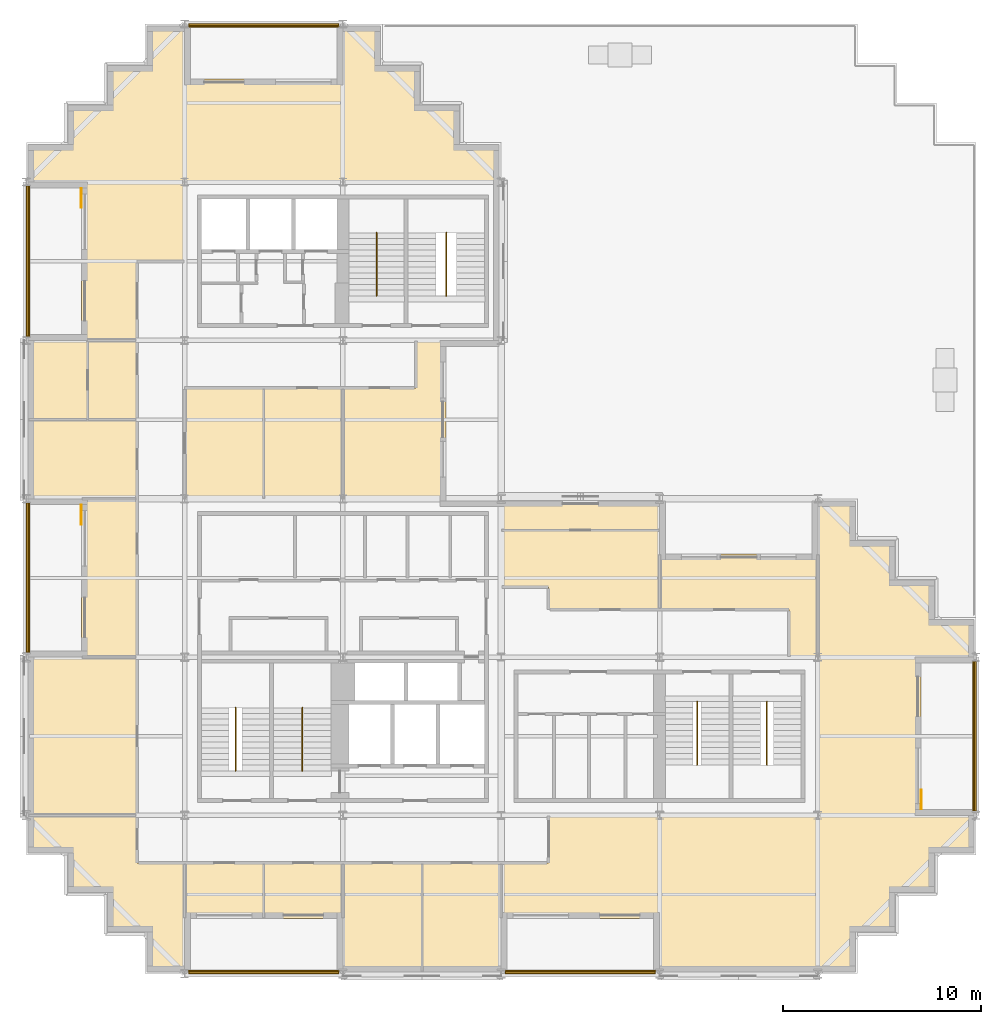
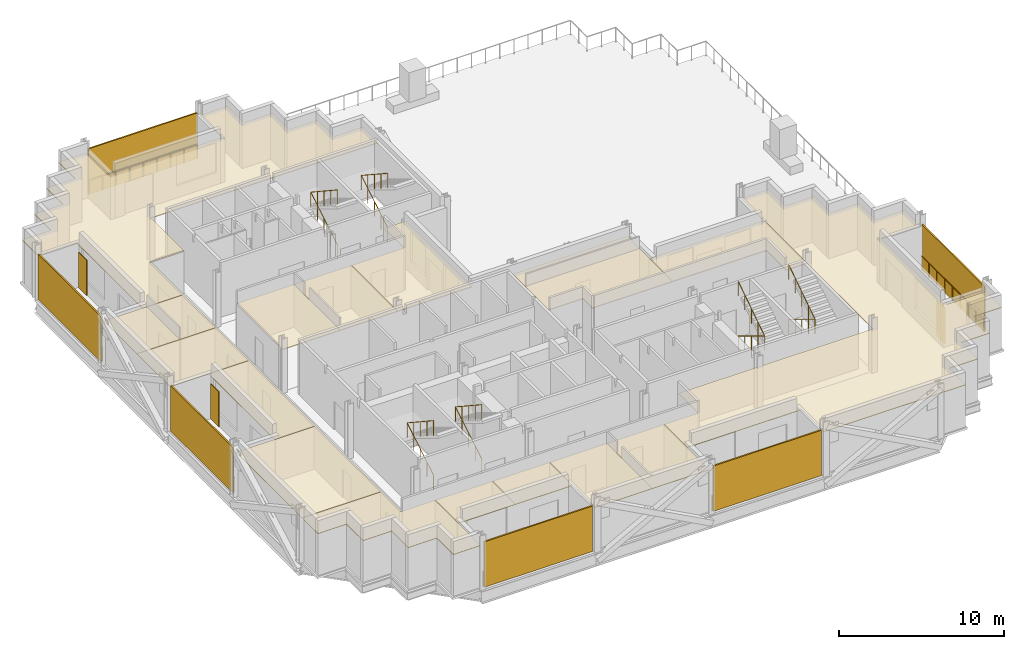
# One storey, part 10 of 12: 18 coverings, 12 railings, 9 shading devices.
"""IFC4 building model written with IfcOpenShell, lengths in metres."""

from ifc_helpers import new_model, si_unit, direction, frame, origin, origin_2d, place, context, subcontext, project, spatial, polyline, rectangle, circle, outline, extrude, material, layer, layer_set, type_object, element, save


model = new_model("IFC4")

# Units and contexts
model_context = context("Model", 3, precision=1e-05, world=origin(), true_north=direction((0.0, 1.0)))
body_context = subcontext(model_context, "Body", "Model", "MODEL_VIEW")
ifc_project = project(units=[si_unit("LENGTHUNIT", "METRE"), si_unit("AREAUNIT", "SQUARE_METRE"), si_unit("VOLUMEUNIT", "CUBIC_METRE"), si_unit("PLANEANGLEUNIT", "RADIAN"), si_unit("MASSUNIT", "GRAM", prefix="KILO")], contexts=[model_context])

# Site, building, storey
site_placement = place(None, origin())
site = spatial("IfcSite", under=ifc_project, at=site_placement, CompositionType="ELEMENT")
building_placement = place(site_placement, origin())
building = spatial("IfcBuilding", under=site, at=building_placement, Name="Immortelle Media Tower", CompositionType="ELEMENT")
storey_placement = place(building_placement, frame((0.0, 0.0, 120.0)))
storey = spatial("IfcBuildingStorey", under=building, at=storey_placement, Name="L23", CompositionType="ELEMENT", Elevation=120.0)

# Railings
ifc_material_1 = material(Name="Powder-coated aluminium fretwork panel, laminated glass backing", Category="aluminium")
railing_type_1 = type_object("IfcRailingType", Name="Fretwork balustrade 1100", PredefinedType="BALUSTRADE", material=ifc_material_1)
railing_1_placement = place(storey_placement, frame((8.20556640625, 0.139892578125, 0.0)))
element("IfcRailing", 1, at=railing_1_placement, inside=storey, type_object=railing_type_1, Name="Fretwork balustrade L23 S0", PredefinedType="BALUSTRADE", context=body_context, shape_type="SweptSolid", body=[
    extrude(circle(Radius=0.02490234375, at=origin_2d()), frame((0.0, 0.0, 1.0751953125), z_axis=(1.0, 0.0, 0.0), x_axis=(0.0, 1.0, 0.0)), (0.0, 0.0, 1.0), 7.58251953125),
    extrude(circle(Radius=0.02001953125, at=origin_2d()), origin(), (0.0, 0.0, 1.0), 1.050048828125),
    extrude(circle(Radius=0.02001953125, at=origin_2d()), frame((0.94775390625, 0.0, 0.0)), (0.0, 0.0, 1.0), 1.050048828125),
    extrude(circle(Radius=0.02001953125, at=origin_2d()), frame((1.8955078125, 0.0, 0.0)), (0.0, 0.0, 1.0), 1.050048828125),
    extrude(circle(Radius=0.02001953125, at=origin_2d()), frame((2.843505859375, 0.0, 0.0)), (0.0, 0.0, 1.0), 1.050048828125),
    extrude(circle(Radius=0.02001953125, at=origin_2d()), frame((3.791259765625, 0.0, 0.0)), (0.0, 0.0, 1.0), 1.050048828125),
    extrude(circle(Radius=0.02001953125, at=origin_2d()), frame((4.739013671875, 0.0, 0.0)), (0.0, 0.0, 1.0), 1.050048828125),
    extrude(circle(Radius=0.02001953125, at=origin_2d()), frame((5.68701171875, 0.0, 0.0)), (0.0, 0.0, 1.0), 1.050048828125),
    extrude(circle(Radius=0.02001953125, at=origin_2d()), frame((6.634765625, 0.0, 0.0)), (0.0, 0.0, 1.0), 1.050048828125),
    extrude(circle(Radius=0.02001953125, at=origin_2d()), frame((7.58251953125, 0.0, 0.0)), (0.0, 0.0, 1.0), 1.050048828125),
])
railing_2_placement = place(storey_placement, frame((24.2119140625, 0.139892578125, 0.0)))
element("IfcRailing", 2, at=railing_2_placement, inside=storey, type_object=railing_type_1, Name="Fretwork balustrade L23 S2", PredefinedType="BALUSTRADE", context=body_context, shape_type="SweptSolid", body=[
    extrude(circle(Radius=0.02490234375, at=origin_2d()), frame((0.0, 0.0, 1.0751953125), z_axis=(1.0, 0.0, 0.0), x_axis=(0.0, 1.0, 0.0)), (0.0, 0.0, 1.0), 7.576171875),
    extrude(circle(Radius=0.02001953125, at=origin_2d()), origin(), (0.0, 0.0, 1.0), 1.050048828125),
    extrude(circle(Radius=0.02001953125, at=origin_2d()), frame((0.947021484375, 0.0, 0.0)), (0.0, 0.0, 1.0), 1.050048828125),
    extrude(circle(Radius=0.02001953125, at=origin_2d()), frame((1.89404296875, 0.0, 0.0)), (0.0, 0.0, 1.0), 1.050048828125),
    extrude(circle(Radius=0.02001953125, at=origin_2d()), frame((2.841064453125, 0.0, 0.0)), (0.0, 0.0, 1.0), 1.050048828125),
    extrude(circle(Radius=0.02001953125, at=origin_2d()), frame((3.7880859375, 0.0, 0.0)), (0.0, 0.0, 1.0), 1.050048828125),
    extrude(circle(Radius=0.02001953125, at=origin_2d()), frame((4.735107421875, 0.0, 0.0)), (0.0, 0.0, 1.0), 1.050048828125),
    extrude(circle(Radius=0.02001953125, at=origin_2d()), frame((5.68212890625, 0.0, 0.0)), (0.0, 0.0, 1.0), 1.050048828125),
    extrude(circle(Radius=0.02001953125, at=origin_2d()), frame((6.629150390625, 0.0, 0.0)), (0.0, 0.0, 1.0), 1.050048828125),
    extrude(circle(Radius=0.02001953125, at=origin_2d()), frame((7.576171875, 0.0, 0.0)), (0.0, 0.0, 1.0), 1.050048828125),
])
railing_3_placement = place(storey_placement, frame((47.860107421875, 8.217041015625, 0.0)))
element("IfcRailing", 3, at=railing_3_placement, inside=storey, type_object=railing_type_1, Name="Fretwork balustrade L23 E0", PredefinedType="BALUSTRADE", context=body_context, shape_type="SweptSolid", body=[
    extrude(circle(Radius=0.02490234375, at=origin_2d()), frame((0.0, 0.0, 1.0751953125), z_axis=(0.0, 1.0, 0.0), x_axis=(-1.0, 0.0, 0.0)), (0.0, 0.0, 1.0), 7.56591796875),
    extrude(circle(Radius=0.02001953125, at=origin_2d()), origin(), (0.0, 0.0, 1.0), 1.050048828125),
    extrude(circle(Radius=0.02001953125, at=origin_2d()), frame((0.0, 0.94580078125, 0.0)), (0.0, 0.0, 1.0), 1.050048828125),
    extrude(circle(Radius=0.02001953125, at=origin_2d()), frame((0.0, 1.8916015625, 0.0)), (0.0, 0.0, 1.0), 1.050048828125),
    extrude(circle(Radius=0.02001953125, at=origin_2d()), frame((0.0, 2.837158203125, 0.0)), (0.0, 0.0, 1.0), 1.050048828125),
    extrude(circle(Radius=0.02001953125, at=origin_2d()), frame((0.0, 3.782958984375, 0.0)), (0.0, 0.0, 1.0), 1.050048828125),
    extrude(circle(Radius=0.02001953125, at=origin_2d()), frame((0.0, 4.728759765625, 0.0)), (0.0, 0.0, 1.0), 1.050048828125),
    extrude(circle(Radius=0.02001953125, at=origin_2d()), frame((0.0, 5.67431640625, 0.0)), (0.0, 0.0, 1.0), 1.050048828125),
    extrude(circle(Radius=0.02001953125, at=origin_2d()), frame((0.0, 6.6201171875, 0.0)), (0.0, 0.0, 1.0), 1.050048828125),
    extrude(circle(Radius=0.02001953125, at=origin_2d()), frame((0.0, 7.56591796875, 0.0)), (0.0, 0.0, 1.0), 1.050048828125),
])
railing_4_placement = place(storey_placement, frame((15.800537109375, 47.860107421875, 0.0)))
element("IfcRailing", 4, at=railing_4_placement, inside=storey, type_object=railing_type_1, Name="Fretwork balustrade L23 N0", PredefinedType="BALUSTRADE", context=body_context, shape_type="SweptSolid", body=[
    extrude(circle(Radius=0.02490234375, at=origin_2d()), frame((0.0, 0.0, 1.0751953125), z_axis=(-1.0, 0.0, 0.0), x_axis=(0.0, -1.0, 0.0)), (0.0, 0.0, 1.0), 7.60107421875),
    extrude(circle(Radius=0.02001953125, at=origin_2d()), origin(), (0.0, 0.0, 1.0), 1.050048828125),
    extrude(circle(Radius=0.02001953125, at=origin_2d()), frame((-0.9501953125, 0.0, 0.0)), (0.0, 0.0, 1.0), 1.050048828125),
    extrude(circle(Radius=0.02001953125, at=origin_2d()), frame((-1.900390625, 0.0, 0.0)), (0.0, 0.0, 1.0), 1.050048828125),
    extrude(circle(Radius=0.02001953125, at=origin_2d()), frame((-2.850341796875, 0.0, 0.0)), (0.0, 0.0, 1.0), 1.050048828125),
    extrude(circle(Radius=0.02001953125, at=origin_2d()), frame((-3.800537109375, 0.0, 0.0)), (0.0, 0.0, 1.0), 1.050048828125),
    extrude(circle(Radius=0.02001953125, at=origin_2d()), frame((-4.750732421875, 0.0, 0.0)), (0.0, 0.0, 1.0), 1.050048828125),
    extrude(circle(Radius=0.02001953125, at=origin_2d()), frame((-5.70068359375, 0.0, 0.0)), (0.0, 0.0, 1.0), 1.050048828125),
    extrude(circle(Radius=0.02001953125, at=origin_2d()), frame((-6.65087890625, 0.0, 0.0)), (0.0, 0.0, 1.0), 1.050048828125),
    extrude(circle(Radius=0.02001953125, at=origin_2d()), frame((-7.60107421875, 0.0, 0.0)), (0.0, 0.0, 1.0), 1.050048828125),
])
railing_5_placement = place(storey_placement, frame((0.139892578125, 39.806884765625, 0.0)))
element("IfcRailing", 5, at=railing_5_placement, inside=storey, type_object=railing_type_1, Name="Fretwork balustrade L23 W0", PredefinedType="BALUSTRADE", context=body_context, shape_type="SweptSolid", body=[
    extrude(circle(Radius=0.02490234375, at=origin_2d()), frame((0.0, 0.0, 1.0751953125), z_axis=(0.0, -1.0, 0.0), x_axis=(1.0, 0.0, 0.0)), (0.0, 0.0, 1.0), 7.598388671875),
    extrude(circle(Radius=0.02001953125, at=origin_2d()), origin(), (0.0, 0.0, 1.0), 1.050048828125),
    extrude(circle(Radius=0.02001953125, at=origin_2d()), frame((0.0, -0.94970703125, 0.0)), (0.0, 0.0, 1.0), 1.050048828125),
    extrude(circle(Radius=0.02001953125, at=origin_2d()), frame((0.0, -1.899658203125, 0.0)), (0.0, 0.0, 1.0), 1.050048828125),
    extrude(circle(Radius=0.02001953125, at=origin_2d()), frame((0.0, -2.849365234375, 0.0)), (0.0, 0.0, 1.0), 1.050048828125),
    extrude(circle(Radius=0.02001953125, at=origin_2d()), frame((0.0, -3.79931640625, 0.0)), (0.0, 0.0, 1.0), 1.050048828125),
    extrude(circle(Radius=0.02001953125, at=origin_2d()), frame((0.0, -4.7490234375, 0.0)), (0.0, 0.0, 1.0), 1.050048828125),
    extrude(circle(Radius=0.02001953125, at=origin_2d()), frame((0.0, -5.69873046875, 0.0)), (0.0, 0.0, 1.0), 1.050048828125),
    extrude(circle(Radius=0.02001953125, at=origin_2d()), frame((0.0, -6.648681640625, 0.0)), (0.0, 0.0, 1.0), 1.050048828125),
    extrude(circle(Radius=0.02001953125, at=origin_2d()), frame((0.0, -7.598388671875, 0.0)), (0.0, 0.0, 1.0), 1.050048828125),
])
railing_6_placement = place(storey_placement, frame((0.139892578125, 23.79150390625, 0.0)))
element("IfcRailing", 6, at=railing_6_placement, inside=storey, type_object=railing_type_1, Name="Fretwork balustrade L23 W2", PredefinedType="BALUSTRADE", context=body_context, shape_type="SweptSolid", body=[
    extrude(circle(Radius=0.02490234375, at=origin_2d()), frame((0.0, 0.0, 1.0751953125), z_axis=(0.0, -1.0, 0.0), x_axis=(1.0, 0.0, 0.0)), (0.0, 0.0, 1.0), 7.553955078125),
    extrude(circle(Radius=0.02001953125, at=origin_2d()), origin(), (0.0, 0.0, 1.0), 1.050048828125),
    extrude(circle(Radius=0.02001953125, at=origin_2d()), frame((0.0, -0.9443359375, 0.0)), (0.0, 0.0, 1.0), 1.050048828125),
    extrude(circle(Radius=0.02001953125, at=origin_2d()), frame((0.0, -1.888427734375, 0.0)), (0.0, 0.0, 1.0), 1.050048828125),
    extrude(circle(Radius=0.02001953125, at=origin_2d()), frame((0.0, -2.832763671875, 0.0)), (0.0, 0.0, 1.0), 1.050048828125),
    extrude(circle(Radius=0.02001953125, at=origin_2d()), frame((0.0, -3.77685546875, 0.0)), (0.0, 0.0, 1.0), 1.050048828125),
    extrude(circle(Radius=0.02001953125, at=origin_2d()), frame((0.0, -4.72119140625, 0.0)), (0.0, 0.0, 1.0), 1.050048828125),
    extrude(circle(Radius=0.02001953125, at=origin_2d()), frame((0.0, -5.66552734375, 0.0)), (0.0, 0.0, 1.0), 1.050048828125),
    extrude(circle(Radius=0.02001953125, at=origin_2d()), frame((0.0, -6.609619140625, 0.0)), (0.0, 0.0, 1.0), 1.050048828125),
    extrude(circle(Radius=0.02001953125, at=origin_2d()), frame((0.0, -7.553955078125, 0.0)), (0.0, 0.0, 1.0), 1.050048828125),
])

# Shading devices
ifc_material_2 = material(Name="Pale aluminium louvre blades", Category="aluminium")
ifc_layer_1 = layer(ifc_material_2, 0.10009765625)
ifc_layer_set_1 = layer_set([ifc_layer_1], Name="Pale aluminium louvre blades")
shading_device_type_1 = type_object("IfcShadingDeviceType", Name="Jalousie screen 100", PredefinedType="JALOUSIE", material=ifc_layer_set_1)
shading_device_1_placement = place(storey_placement, frame((11.996826171875, 0.050048828125, 0.0), z_axis=(0.0, 0.0, 1.0), x_axis=(1.0, 0.0, 0.0)))
element("IfcShadingDevice", 7, at=shading_device_1_placement, inside=storey, type_object=shading_device_type_1, Name="Jalousie screen L23 S0", PredefinedType="JALOUSIE", context=body_context, shape_type="SweptSolid", body=[
    extrude(rectangle(XDim=7.58251953125, YDim=0.10009765625, at=origin_2d()), origin(), (0.0, 0.0, 1.0), 3.35693359375),
])
shading_device_2_placement = place(storey_placement, frame((28.0, 0.050048828125, 0.0), z_axis=(0.0, 0.0, 1.0), x_axis=(1.0, 0.0, 0.0)))
element("IfcShadingDevice", 8, at=shading_device_2_placement, inside=storey, type_object=shading_device_type_1, Name="Jalousie screen L23 S2", PredefinedType="JALOUSIE", context=body_context, shape_type="SweptSolid", body=[
    extrude(rectangle(XDim=7.575927734375, YDim=0.10009765625, at=origin_2d()), origin(), (0.0, 0.0, 1.0), 3.35693359375),
])
shading_device_3_placement = place(storey_placement, frame((47.949951171875, 12.0, 0.0), z_axis=(0.0, 0.0, 1.0), x_axis=(0.0, 1.0, 0.0)))
element("IfcShadingDevice", 9, at=shading_device_3_placement, inside=storey, type_object=shading_device_type_1, Name="Jalousie screen L23 E0", PredefinedType="JALOUSIE", context=body_context, shape_type="SweptSolid", body=[
    extrude(rectangle(XDim=7.56591796875, YDim=0.10009765625, at=origin_2d()), origin(), (0.0, 0.0, 1.0), 3.35693359375),
])
shading_device_4_placement = place(storey_placement, frame((12.0, 47.949951171875, 0.0), z_axis=(0.0, 0.0, 1.0), x_axis=(-1.0, 0.0, 0.0)))
element("IfcShadingDevice", 10, at=shading_device_4_placement, inside=storey, type_object=shading_device_type_1, Name="Jalousie screen L23 N0", PredefinedType="JALOUSIE", context=body_context, shape_type="SweptSolid", body=[
    extrude(rectangle(XDim=7.60107421875, YDim=0.10009765625, at=origin_2d()), origin(), (0.0, 0.0, 1.0), 3.35693359375),
])
shading_device_5_placement = place(storey_placement, frame((0.050048828125, 36.0078125, 0.0), z_axis=(0.0, 0.0, 1.0), x_axis=(0.0, -1.0, 0.0)))
element("IfcShadingDevice", 11, at=shading_device_5_placement, inside=storey, type_object=shading_device_type_1, Name="Jalousie screen L23 W0", PredefinedType="JALOUSIE", context=body_context, shape_type="SweptSolid", body=[
    extrude(rectangle(XDim=7.598388671875, YDim=0.10009765625, at=origin_2d()), origin(), (0.0, 0.0, 1.0), 3.35693359375),
])
shading_device_6_placement = place(storey_placement, frame((0.050048828125, 20.014404296875, 0.0), z_axis=(0.0, 0.0, 1.0), x_axis=(0.0, -1.0, 0.0)))
element("IfcShadingDevice", 12, at=shading_device_6_placement, inside=storey, type_object=shading_device_type_1, Name="Jalousie screen L23 W2", PredefinedType="JALOUSIE", context=body_context, shape_type="SweptSolid", body=[
    extrude(rectangle(XDim=7.553955078125, YDim=0.10009765625, at=origin_2d()), origin(), (0.0, 0.0, 1.0), 3.35693359375),
])
ifc_material_3 = material(Name="Pale aluminium louvre blades in a folding frame", Category="aluminium")
ifc_layer_2 = layer(ifc_material_3, 0.050048828125)
ifc_layer_set_2 = layer_set([ifc_layer_2], Name="Pale aluminium louvre blades in a folding frame")
shading_device_type_2 = type_object("IfcShadingDeviceType", Name="Louvred loggia shutter", PredefinedType="SHUTTER", material=ifc_layer_set_2)
for number, where, z_axis, x_axis, name in (
    (13, (45.22509765625, 8.800048828125, 0.0), (0.0, 0.0, 1.0), (0.0, 1.0, 0.0), "Loggia shutter L23 E0"),
    (14, (2.77490234375, 39.199951171875, 0.0), (0.0, 0.0, 1.0), (0.0, -1.0, 0.0), "Loggia shutter L23 W0"),
    (15, (2.77490234375, 23.199951171875, 0.0), (0.0, 0.0, 1.0), (0.0, -1.0, 0.0), "Loggia shutter L23 W2"),
):
    element("IfcShadingDevice", number, at=place(storey_placement, frame(where, z_axis=z_axis, x_axis=x_axis)), inside=storey, type_object=shading_device_type_2, Name=name, PredefinedType="SHUTTER", context=body_context, shape_type="SweptSolid", body=[
        extrude(rectangle(XDim=1.0, YDim=0.050048828125, at=origin_2d()), origin(), (0.0, 0.0, 1.0), 2.60009765625),
    ])

# Railings
ifc_material_4 = material(Name="Stainless steel AISI 316", Category="steel")
railing_type_2 = type_object("IfcRailingType", Name="Stair guard 1100", PredefinedType="GUARDRAIL", material=ifc_material_4)
for number, where, name in (
    (16, (10.574951171875, 10.25, 0.175048828125), "Stair guard SW1"),
    (17, (13.949951171875, 10.25, 0.175048828125), "Stair guard SW2"),
):
    element("IfcRailing", number, at=place(storey_placement, frame(where)), inside=storey, type_object=railing_type_2, Name=name, PredefinedType="GUARDRAIL", context=body_context, shape_type="SweptSolid", body=[
        extrude(circle(Radius=0.02392578125, at=origin_2d()), frame((0.0, 0.0, 1.076171875), z_axis=(0.0, 0.856177665481, 0.516681531633), x_axis=(-1.0, 0.0, 0.0)), (0.0, 0.0, 1.0), 3.725830078125),
        extrude(circle(Radius=0.02392578125, at=origin_2d()), frame((0.0, 3.18994140625, 3.0009765625), z_axis=(0.0, -0.835271834381, 0.549837214719), x_axis=(1.0, 0.0, 0.0)), (0.0, 0.0, 1.0), 3.819091796875),
        extrude(circle(Radius=0.02099609375, at=origin_2d()), origin(), (0.0, 0.0, 1.0), 1.052001953125),
        extrude(circle(Radius=0.02099609375, at=origin_2d()), frame((0.0, 0.79736328125, 0.481201171875)), (0.0, 0.0, 1.0), 1.052001953125),
        extrude(circle(Radius=0.02099609375, at=origin_2d()), frame((0.0, 1.594970703125, 0.96240234375)), (0.0, 0.0, 1.0), 1.052001953125),
        extrude(circle(Radius=0.02099609375, at=origin_2d()), frame((0.0, 2.392578125, 1.44384765625)), (0.0, 0.0, 1.0), 1.052001953125),
        extrude(circle(Radius=0.02099609375, at=origin_2d()), frame((0.0, 3.18994140625, 1.925048828125)), (0.0, 0.0, 1.0), 1.052001953125),
        extrude(circle(Radius=0.02099609375, at=origin_2d()), frame((0.0, 2.392578125, 2.449951171875)), (0.0, 0.0, 1.0), 1.052001953125),
        extrude(circle(Radius=0.02099609375, at=origin_2d()), frame((0.0, 1.594970703125, 2.97509765625)), (0.0, 0.0, 1.0), 1.052001953125),
        extrude(circle(Radius=0.02099609375, at=origin_2d()), frame((0.0, 0.79736328125, 3.5)), (0.0, 0.0, 1.0), 1.052001953125),
        extrude(circle(Radius=0.02099609375, at=origin_2d()), frame((0.0, 0.0, 4.02490234375)), (0.0, 0.0, 1.0), 1.052001953125),
    ])
for number, where, name in (
    (18, (33.89990234375, 13.75, 0.175048828125), "Stair guard SE1"),
    (19, (37.425048828125, 13.75, 0.175048828125), "Stair guard SE2"),
):
    element("IfcRailing", number, at=place(storey_placement, frame(where)), inside=storey, type_object=railing_type_2, Name=name, PredefinedType="GUARDRAIL", context=body_context, shape_type="SweptSolid", body=[
        extrude(circle(Radius=0.02392578125, at=origin_2d()), frame((0.0, 0.0, 1.076171875), z_axis=(0.0, -0.856177665481, 0.516681531633), x_axis=(1.0, 0.0, 0.0)), (0.0, 0.0, 1.0), 3.725830078125),
        extrude(circle(Radius=0.02392578125, at=origin_2d()), frame((0.0, -3.18994140625, 3.0009765625), z_axis=(0.0, 0.835271834381, 0.549837214719), x_axis=(-1.0, 0.0, 0.0)), (0.0, 0.0, 1.0), 3.819091796875),
        extrude(circle(Radius=0.02099609375, at=origin_2d()), origin(), (0.0, 0.0, 1.0), 1.052001953125),
        extrude(circle(Radius=0.02099609375, at=origin_2d()), frame((0.0, -0.79736328125, 0.481201171875)), (0.0, 0.0, 1.0), 1.052001953125),
        extrude(circle(Radius=0.02099609375, at=origin_2d()), frame((0.0, -1.594970703125, 0.96240234375)), (0.0, 0.0, 1.0), 1.052001953125),
        extrude(circle(Radius=0.02099609375, at=origin_2d()), frame((0.0, -2.392578125, 1.44384765625)), (0.0, 0.0, 1.0), 1.052001953125),
        extrude(circle(Radius=0.02099609375, at=origin_2d()), frame((0.0, -3.18994140625, 1.925048828125)), (0.0, 0.0, 1.0), 1.052001953125),
        extrude(circle(Radius=0.02099609375, at=origin_2d()), frame((0.0, -2.392578125, 2.449951171875)), (0.0, 0.0, 1.0), 1.052001953125),
        extrude(circle(Radius=0.02099609375, at=origin_2d()), frame((0.0, -1.594970703125, 2.97509765625)), (0.0, 0.0, 1.0), 1.052001953125),
        extrude(circle(Radius=0.02099609375, at=origin_2d()), frame((0.0, -0.79736328125, 3.5)), (0.0, 0.0, 1.0), 1.052001953125),
        extrude(circle(Radius=0.02099609375, at=origin_2d()), frame((0.0, 0.0, 4.02490234375)), (0.0, 0.0, 1.0), 1.052001953125),
    ])
for number, where, name in (
    (20, (17.699951171875, 34.25, 0.175048828125), "Stair guard NW1"),
    (21, (21.22509765625, 34.25, 0.175048828125), "Stair guard NW2"),
):
    element("IfcRailing", number, at=place(storey_placement, frame(where)), inside=storey, type_object=railing_type_2, Name=name, PredefinedType="GUARDRAIL", context=body_context, shape_type="SweptSolid", body=[
        extrude(circle(Radius=0.02392578125, at=origin_2d()), frame((0.0, 0.0, 1.076171875), z_axis=(0.0, 0.856177665481, 0.516681531633), x_axis=(-1.0, 0.0, 0.0)), (0.0, 0.0, 1.0), 3.725830078125),
        extrude(circle(Radius=0.02392578125, at=origin_2d()), frame((0.0, 3.18994140625, 3.0009765625), z_axis=(0.0, -0.835271834381, 0.549837214719), x_axis=(1.0, 0.0, 0.0)), (0.0, 0.0, 1.0), 3.819091796875),
        extrude(circle(Radius=0.02099609375, at=origin_2d()), origin(), (0.0, 0.0, 1.0), 1.052001953125),
        extrude(circle(Radius=0.02099609375, at=origin_2d()), frame((0.0, 0.79736328125, 0.481201171875)), (0.0, 0.0, 1.0), 1.052001953125),
        extrude(circle(Radius=0.02099609375, at=origin_2d()), frame((0.0, 1.594970703125, 0.96240234375)), (0.0, 0.0, 1.0), 1.052001953125),
        extrude(circle(Radius=0.02099609375, at=origin_2d()), frame((0.0, 2.392578125, 1.44384765625)), (0.0, 0.0, 1.0), 1.052001953125),
        extrude(circle(Radius=0.02099609375, at=origin_2d()), frame((0.0, 3.18994140625, 1.925048828125)), (0.0, 0.0, 1.0), 1.052001953125),
        extrude(circle(Radius=0.02099609375, at=origin_2d()), frame((0.0, 2.392578125, 2.449951171875)), (0.0, 0.0, 1.0), 1.052001953125),
        extrude(circle(Radius=0.02099609375, at=origin_2d()), frame((0.0, 1.594970703125, 2.97509765625)), (0.0, 0.0, 1.0), 1.052001953125),
        extrude(circle(Radius=0.02099609375, at=origin_2d()), frame((0.0, 0.79736328125, 3.5)), (0.0, 0.0, 1.0), 1.052001953125),
        extrude(circle(Radius=0.02099609375, at=origin_2d()), frame((0.0, 0.0, 4.02490234375)), (0.0, 0.0, 1.0), 1.052001953125),
    ])

# Coverings
ifc_material_5 = material(Name="Mineral fibre tile ceiling")
ifc_layer_3 = layer(ifc_material_5, 0.050048828125)
ifc_layer_set_3 = layer_set([ifc_layer_3], Name="Mineral fibre tile ceiling")
covering_type = type_object("IfcCoveringType", Name="Suspended ceiling 50", PredefinedType="CEILING", material=ifc_layer_set_3)
covering_1_placement = place(storey_placement, frame((0.0, 0.0, 3.072998046875)))
element("IfcCovering", 22, at=covering_1_placement, inside=storey, type_object=covering_type, Name="Ceiling L23-001", PredefinedType="CEILING", context=body_context, shape_type="SweptSolid", body=[
    extrude(outline(polyline([(16.0, 2.800048828125), (16.0, 5.60009765625), (20.0, 5.60009765625), (20.0, 0.10009765625), (16.0, 0.10009765625), (16.0, 2.800048828125)])), origin(), (0.0, 0.0, 1.0), 0.050048828125),
])
covering_2_placement = place(storey_placement, frame((0.0, 0.0, 3.072998046875)))
element("IfcCovering", 23, at=covering_2_placement, inside=storey, type_object=covering_type, Name="Ceiling L23-002", PredefinedType="CEILING", context=body_context, shape_type="SweptSolid", body=[
    extrude(outline(polyline([(24.0, 5.60009765625), (24.0, 2.800048828125), (24.0, 0.10009765625), (20.0, 0.10009765625), (20.0, 5.60009765625), (24.0, 5.60009765625)])), origin(), (0.0, 0.0, 1.0), 0.050048828125),
])
covering_3_placement = place(storey_placement, frame((0.0, 0.0, 3.072998046875)))
element("IfcCovering", 24, at=covering_3_placement, inside=storey, type_object=covering_type, Name="Ceiling L23-003", PredefinedType="CEILING", context=body_context, shape_type="SweptSolid", body=[
    extrude(outline(polyline([(8.0, 5.60009765625), (12.0, 5.60009765625), (12.0, 2.800048828125), (8.0, 2.800048828125), (8.0, 5.60009765625)])), origin(), (0.0, 0.0, 1.0), 0.050048828125),
])
covering_4_placement = place(storey_placement, frame((0.0, 0.0, 3.072998046875)))
element("IfcCovering", 25, at=covering_4_placement, inside=storey, type_object=covering_type, Name="Ceiling L23-004", PredefinedType="CEILING", context=body_context, shape_type="SweptSolid", body=[
    extrude(outline(polyline([(16.0, 5.60009765625), (16.0, 2.800048828125), (12.0, 2.800048828125), (12.0, 5.60009765625), (16.0, 5.60009765625)])), origin(), (0.0, 0.0, 1.0), 0.050048828125),
])
covering_5_placement = place(storey_placement, frame((0.0, 0.0, 3.072998046875)))
element("IfcCovering", 26, at=covering_5_placement, inside=storey, type_object=covering_type, Name="Ceiling L23-005", PredefinedType="CEILING", context=body_context, shape_type="SweptSolid", body=[
    extrude(outline(polyline([(4.10009765625, 2.10009765625), (4.10009765625, 4.10009765625), (4.0, 4.10009765625), (2.10009765625, 4.10009765625), (2.10009765625, 6.10009765625), (0.10009765625, 6.10009765625), (0.10009765625, 8.0), (4.0, 8.0), (5.60009765625, 8.0), (5.60009765625, 5.60009765625), (8.0, 5.60009765625), (8.0, 2.800048828125), (8.0, 0.10009765625), (6.10009765625, 0.10009765625), (6.10009765625, 2.10009765625), (4.10009765625, 2.10009765625)])), origin(), (0.0, 0.0, 1.0), 0.050048828125),
])
covering_6_placement = place(storey_placement, frame((0.0, 0.0, 3.072998046875)))
element("IfcCovering", 27, at=covering_6_placement, inside=storey, type_object=covering_type, Name="Ceiling L23-006", PredefinedType="CEILING", context=body_context, shape_type="SweptSolid", body=[
    extrude(outline(polyline([(26.39990234375, 5.60009765625), (26.39990234375, 8.0), (32.0, 8.0), (40.0, 8.0), (40.0, 16.0), (40.0, 21.199951171875), (40.0, 23.89990234375), (41.89990234375, 23.89990234375), (41.89990234375, 21.89990234375), (43.89990234375, 21.89990234375), (43.89990234375, 19.89990234375), (45.89990234375, 19.89990234375), (45.89990234375, 17.89990234375), (47.89990234375, 17.89990234375), (47.89990234375, 16.0), (45.199951171875, 16.0), (45.199951171875, 8.0), (47.89990234375, 8.0), (47.89990234375, 6.10009765625), (45.89990234375, 6.10009765625), (45.89990234375, 4.10009765625), (43.89990234375, 4.10009765625), (43.89990234375, 2.10009765625), (41.89990234375, 2.10009765625), (41.89990234375, 0.10009765625), (40.0, 0.10009765625), (32.0, 0.10009765625), (32.0, 2.800048828125), (24.0, 2.800048828125), (24.0, 5.60009765625), (26.39990234375, 5.60009765625)])), origin(), (0.0, 0.0, 1.0), 0.050048828125),
])
covering_7_placement = place(storey_placement, frame((0.0, 0.0, 3.072998046875)))
element("IfcCovering", 28, at=covering_7_placement, inside=storey, type_object=covering_type, Name="Ceiling L23-007", PredefinedType="CEILING", context=body_context, shape_type="SweptSolid", body=[
    extrude(outline(polyline([(5.60009765625, 8.0), (0.10009765625, 8.0), (0.10009765625, 16.0), (2.800048828125, 16.0), (5.60009765625, 16.0), (5.60009765625, 8.0)])), origin(), (0.0, 0.0, 1.0), 0.050048828125),
])
covering_8_placement = place(storey_placement, frame((0.0, 0.0, 3.072998046875)))
element("IfcCovering", 29, at=covering_8_placement, inside=storey, type_object=covering_type, Name="Ceiling L23-008", PredefinedType="CEILING", context=body_context, shape_type="SweptSolid", body=[
    extrude(outline(polyline([(38.550048828125, 16.0), (38.550048828125, 18.39990234375), (32.0, 18.39990234375), (32.0, 21.199951171875), (40.0, 21.199951171875), (40.0, 16.0), (38.550048828125, 16.0)])), origin(), (0.0, 0.0, 1.0), 0.050048828125),
])
covering_9_placement = place(storey_placement, frame((0.0, 0.0, 3.072998046875)))
element("IfcCovering", 30, at=covering_9_placement, inside=storey, type_object=covering_type, Name="Ceiling L23-009", PredefinedType="CEILING", context=body_context, shape_type="SweptSolid", body=[
    extrude(outline(polyline([(5.60009765625, 19.449951171875), (5.60009765625, 16.0), (2.800048828125, 16.0), (2.800048828125, 24.0), (5.60009765625, 24.0), (5.60009765625, 19.449951171875)])), origin(), (0.0, 0.0, 1.0), 0.050048828125),
])
covering_10_placement = place(storey_placement, frame((0.0, 0.0, 3.072998046875)))
element("IfcCovering", 31, at=covering_10_placement, inside=storey, type_object=covering_type, Name="Ceiling L23-010", PredefinedType="CEILING", context=body_context, shape_type="SweptSolid", body=[
    extrude(outline(polyline([(26.39990234375, 18.39990234375), (26.39990234375, 19.550048828125), (24.0, 19.550048828125), (24.0, 22.39990234375), (32.0, 22.39990234375), (32.0, 21.199951171875), (32.0, 18.39990234375), (27.0, 18.39990234375), (26.39990234375, 18.39990234375)])), origin(), (0.0, 0.0, 1.0), 0.050048828125),
])
covering_11_placement = place(storey_placement, frame((0.0, 0.0, 3.072998046875)))
element("IfcCovering", 32, at=covering_11_placement, inside=storey, type_object=covering_type, Name="Ceiling L23-011", PredefinedType="CEILING", context=body_context, shape_type="SweptSolid", body=[
    extrude(outline(polyline([(24.0, 23.89990234375), (32.0, 23.89990234375), (32.0, 22.39990234375), (24.0, 22.39990234375), (24.0, 23.89990234375)])), origin(), (0.0, 0.0, 1.0), 0.050048828125),
])
covering_12_placement = place(storey_placement, frame((0.0, 0.0, 3.072998046875)))
element("IfcCovering", 33, at=covering_12_placement, inside=storey, type_object=covering_type, Name="Ceiling L23-012", PredefinedType="CEILING", context=body_context, shape_type="SweptSolid", body=[
    extrude(outline(polyline([(12.0, 29.60009765625), (12.0, 24.0), (8.0, 24.0), (8.0, 29.60009765625), (12.0, 29.60009765625)])), origin(), (0.0, 0.0, 1.0), 0.050048828125),
])
covering_13_placement = place(storey_placement, frame((0.0, 0.0, 3.072998046875)))
element("IfcCovering", 34, at=covering_13_placement, inside=storey, type_object=covering_type, Name="Ceiling L23-013", PredefinedType="CEILING", context=body_context, shape_type="SweptSolid", body=[
    extrude(outline(polyline([(12.199951171875, 29.60009765625), (12.39990234375, 29.60009765625), (16.0, 29.60009765625), (16.0, 24.0), (12.0, 24.0), (12.0, 29.60009765625), (12.199951171875, 29.60009765625)])), origin(), (0.0, 0.0, 1.0), 0.050048828125),
])
covering_14_placement = place(storey_placement, frame((0.0, 0.0, 3.072998046875)))
element("IfcCovering", 35, at=covering_14_placement, inside=storey, type_object=covering_type, Name="Ceiling L23-014", PredefinedType="CEILING", context=body_context, shape_type="SweptSolid", body=[
    extrude(outline(polyline([(19.699951171875, 29.60009765625), (19.699951171875, 32.0), (21.199951171875, 32.0), (21.199951171875, 24.0), (16.0, 24.0), (16.0, 29.60009765625), (19.699951171875, 29.60009765625)])), origin(), (0.0, 0.0, 1.0), 0.050048828125),
])
covering_15_placement = place(storey_placement, frame((0.0, 0.0, 3.072998046875)))
element("IfcCovering", 36, at=covering_15_placement, inside=storey, type_object=covering_type, Name="Ceiling L23-015", PredefinedType="CEILING", context=body_context, shape_type="SweptSolid", body=[
    extrude(outline(polyline([(5.60009765625, 24.0), (2.800048828125, 24.0), (0.10009765625, 24.0), (0.10009765625, 28.0), (5.60009765625, 28.0), (5.60009765625, 24.0)])), origin(), (0.0, 0.0, 1.0), 0.050048828125),
])
covering_16_placement = place(storey_placement, frame((0.0, 0.0, 3.072998046875)))
element("IfcCovering", 37, at=covering_16_placement, inside=storey, type_object=covering_type, Name="Ceiling L23-016", PredefinedType="CEILING", context=body_context, shape_type="SweptSolid", body=[
    extrude(outline(polyline([(3.10009765625, 28.0), (3.10009765625, 32.0), (5.60009765625, 32.0), (5.60009765625, 29.60009765625), (5.60009765625, 28.0), (3.10009765625, 28.0)])), origin(), (0.0, 0.0, 1.0), 0.050048828125),
])
covering_17_placement = place(storey_placement, frame((0.0, 0.0, 3.072998046875)))
element("IfcCovering", 38, at=covering_17_placement, inside=storey, type_object=covering_type, Name="Ceiling L23-017", PredefinedType="CEILING", context=body_context, shape_type="SweptSolid", body=[
    extrude(outline(polyline([(0.10009765625, 28.0), (0.10009765625, 32.0), (2.800048828125, 32.0), (3.10009765625, 32.0), (3.10009765625, 28.0), (0.10009765625, 28.0)])), origin(), (0.0, 0.0, 1.0), 0.050048828125),
])
covering_18_placement = place(storey_placement, frame((0.0, 0.0, 3.072998046875)))
element("IfcCovering", 39, at=covering_18_placement, inside=storey, type_object=covering_type, Name="Ceiling L23-018", PredefinedType="CEILING", context=body_context, shape_type="SweptSolid", body=[
    extrude(outline(polyline([(2.800048828125, 40.0), (0.10009765625, 40.0), (0.10009765625, 41.89990234375), (2.10009765625, 41.89990234375), (2.10009765625, 43.89990234375), (4.10009765625, 43.89990234375), (4.10009765625, 45.89990234375), (6.10009765625, 45.89990234375), (6.10009765625, 47.89990234375), (8.0, 47.89990234375), (8.0, 45.199951171875), (16.0, 45.199951171875), (16.0, 47.89990234375), (17.89990234375, 47.89990234375), (17.89990234375, 45.89990234375), (19.89990234375, 45.89990234375), (19.89990234375, 43.89990234375), (21.89990234375, 43.89990234375), (21.89990234375, 41.89990234375), (23.89990234375, 41.89990234375), (23.89990234375, 40.0), (16.0, 40.0), (8.0, 40.0), (8.0, 36.0), (5.60009765625, 36.0), (5.60009765625, 32.0), (2.800048828125, 32.0), (2.800048828125, 40.0)])), origin(), (0.0, 0.0, 1.0), 0.050048828125),
])

save(model, "model.ifc")
